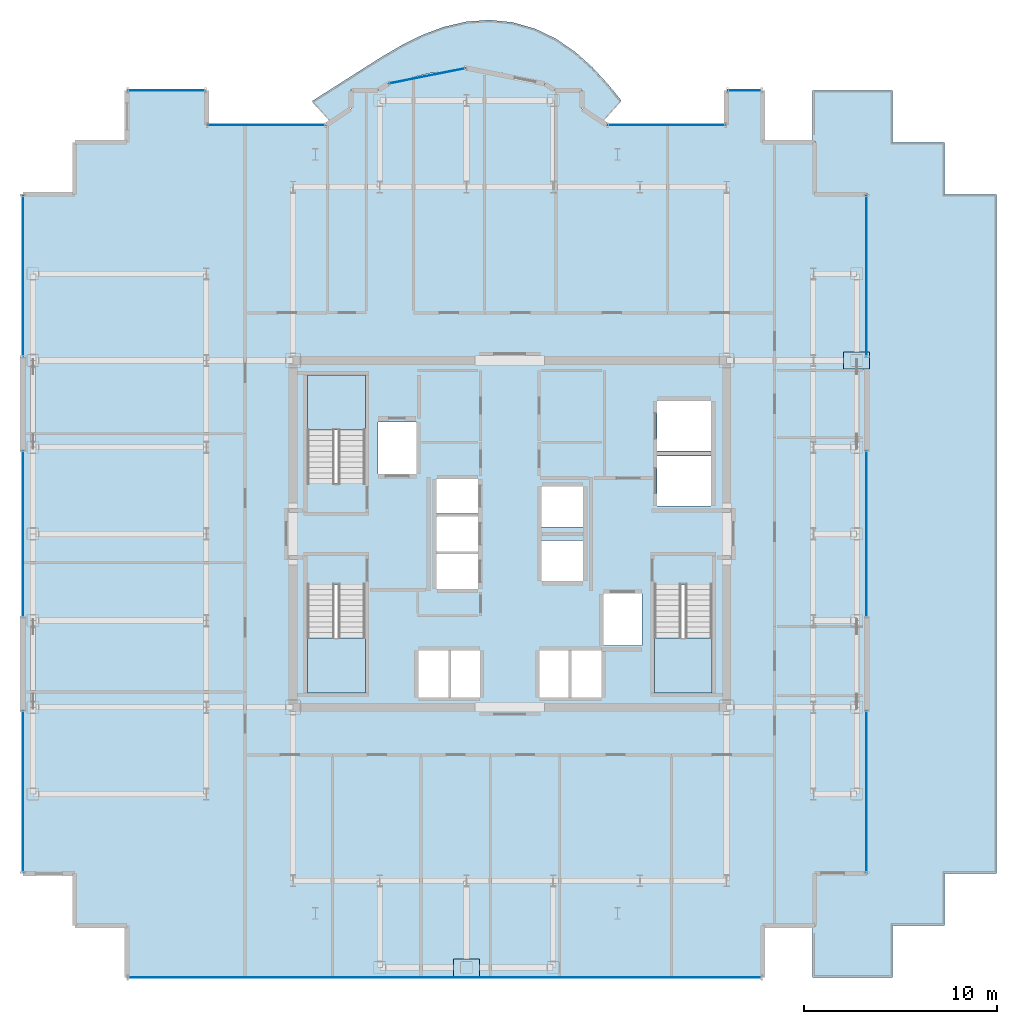
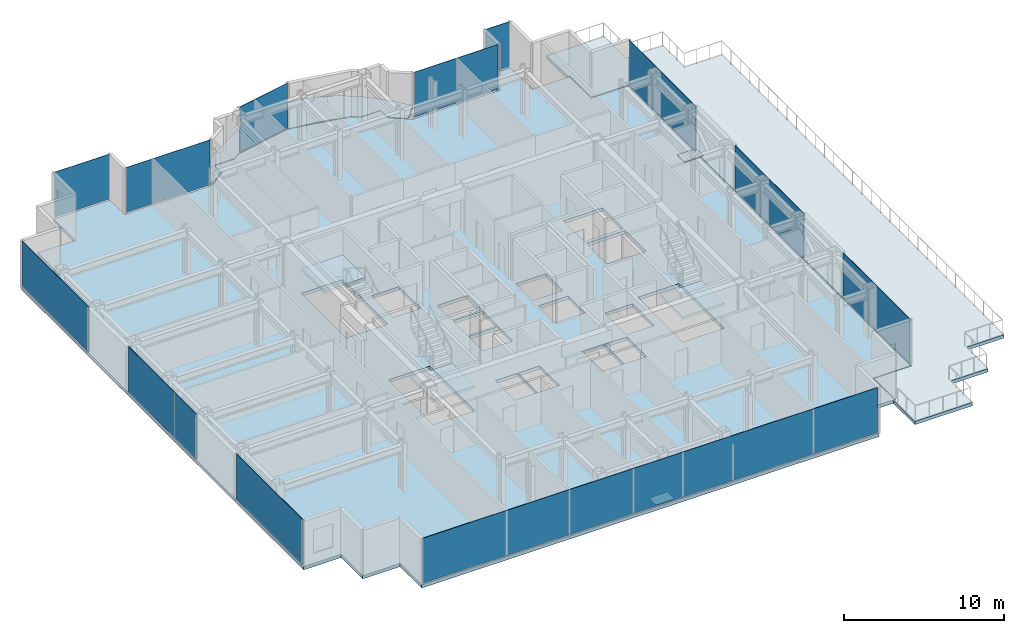
# One storey, part 10 of 17: 14 plates, 6 slabs, 15 elements without a shape of their own.
"""IFC4 building model written with IfcOpenShell, lengths in metres."""

from ifc_helpers import new_model, si_unit, direction, frame, origin, origin_2d, place, context, subcontext, project, spatial, polyline, rectangle, outline, extrude, source, transform, mapped, material, layer, layer_set, type_object, element, aggregate, save


model = new_model("IFC4")

# Units and contexts
model_context = context("Model", 3, precision=1e-05, world=origin(), true_north=direction((0.0, 1.0)))
body_context = subcontext(model_context, "Body", "Model", "MODEL_VIEW")
ifc_project = project(units=[si_unit("LENGTHUNIT", "METRE"), si_unit("AREAUNIT", "SQUARE_METRE"), si_unit("VOLUMEUNIT", "CUBIC_METRE"), si_unit("PLANEANGLEUNIT", "RADIAN"), si_unit("MASSUNIT", "GRAM", prefix="KILO")], contexts=[model_context])

# Site, building, storey
site_placement = place(None, origin())
site = spatial("IfcSite", under=ifc_project, at=site_placement, CompositionType="ELEMENT")
building_placement = place(site_placement, origin())
building = spatial("IfcBuilding", under=site, at=building_placement, Name="Nefas-Gora Pilgrimage Tower", CompositionType="ELEMENT")
storey_placement = place(building_placement, frame((0.0, 0.0, 264.60009765625)))
storey = spatial("IfcBuildingStorey", under=building, at=storey_placement, Name="L66", CompositionType="ELEMENT", Elevation=264.60009765625)

# Slabs
ifc_material_1 = material(Name="Concrete C40/50", Category="concrete")
ifc_layer_1 = layer(ifc_material_1, 0.22509765625)
ifc_layer_set_1 = layer_set([ifc_layer_1], Name="Concrete C40/50")
slab_type_1 = type_object("IfcSlabType", Name="SLB-BAL-P7", PredefinedType="FLOOR", material=ifc_layer_set_1)
slab_1_placement = place(storey_placement, frame((0.0, 0.0, -0.22509765625)))
element("IfcSlab", 1, at=slab_1_placement, inside=storey, type_object=slab_type_1, Name="L66 Sinusoidal Lobe Balcony Slab N (Phase 7)", PredefinedType="FLOOR", context=body_context, shape_type="SweptSolid", body=[
    extrude(outline(polyline([(-9.28759765625, 21.385986328125), (-9.224609375, 21.427978515625), (-8.538330078125, 21.9912109375), (-8.260009765625, 22.179931640625), (-8.260009765625, 23.02001953125), (-8.260009765625, 23.02099609375), (-8.259765625, 23.02197265625), (-8.259521484375, 23.02294921875), (-8.25927734375, 23.023681640625), (-8.2587890625, 23.024658203125), (-8.25830078125, 23.025634765625), (-8.2578125, 23.0263671875), (-8.257080078125, 23.027099609375), (-8.25634765625, 23.027587890625), (-8.255615234375, 23.0283203125), (-8.254638671875, 23.02880859375), (-8.25390625, 23.029296875), (-8.2529296875, 23.029541015625), (-8.251953125, 23.02978515625), (-8.2509765625, 23.030029296875), (-8.25, 23.030029296875), (-6.8271484375, 23.030029296875), (-6.31298828125, 23.37353515625), (-6.31201171875, 23.3740234375), (-6.311279296875, 23.37451171875), (-6.310302734375, 23.375), (-6.309326171875, 23.375), (-5.63037109375, 23.51025390625), (-5.102783203125, 23.685302734375), (-4.165283203125, 23.904052734375), (-3.211669921875, 24.035888671875), (-2.919921875, 24.04931640625), (-2.251953125, 24.18212890625), (-2.2509765625, 24.182373046875), (-2.25, 24.182373046875), (-2.2490234375, 24.182373046875), (-2.248046875, 24.18212890625), (-1.580078125, 24.04931640625), (-1.288330078125, 24.035888671875), (-0.334716796875, 23.904052734375), (0.602783203125, 23.685302734375), (1.13037109375, 23.51025390625), (1.809326171875, 23.375), (1.810302734375, 23.375), (1.811279296875, 23.37451171875), (1.81201171875, 23.3740234375), (1.81298828125, 23.37353515625), (2.3271484375, 23.030029296875), (3.75, 23.030029296875), (3.7509765625, 23.030029296875), (3.751953125, 23.02978515625), (3.7529296875, 23.029541015625), (3.75390625, 23.029296875), (3.754638671875, 23.02880859375), (3.755615234375, 23.0283203125), (3.75634765625, 23.027587890625), (3.757080078125, 23.027099609375), (3.7578125, 23.0263671875), (3.75830078125, 23.025634765625), (3.7587890625, 23.024658203125), (3.75927734375, 23.023681640625), (3.759521484375, 23.02294921875), (3.759765625, 23.02197265625), (3.760009765625, 23.02099609375), (3.760009765625, 23.02001953125), (3.760009765625, 22.179931640625), (4.038330078125, 21.9912109375), (4.724609375, 21.427978515625), (4.78759765625, 21.385986328125), (5.782958984375, 22.491455078125), (5.06689453125, 23.368408203125), (4.27734375, 24.2216796875), (3.392578125, 25.01220703125), (2.4033203125, 25.692138671875), (1.316650390625, 26.21630859375), (0.155517578125, 26.548583984375), (-1.046142578125, 26.6708984375), (-2.25, 26.585205078125), (-3.4208984375, 26.314208984375), (-4.53466796875, 25.896484375), (-5.580322265625, 25.37890625), (-6.563720703125, 24.807373046875), (-7.501220703125, 24.218505859375), (-8.41650390625, 23.6328125), (-9.330810546875, 23.052490234375), (-10.256591796875, 22.462158203125), (-9.28759765625, 21.385986328125)])), origin(), (0.0, 0.0, 1.0), 0.22509765625),
])
ifc_material_2 = material(Name="Concrete C45/55", Category="concrete")
ifc_layer_2 = layer(ifc_material_2, 0.25)
ifc_layer_set_2 = layer_set([ifc_layer_2], Name="Concrete C45/55")
slab_type_2 = type_object("IfcSlabType", Name="SLB-TER-L66-1", PredefinedType="ROOF", material=ifc_layer_set_2)
slab_2_placement = place(storey_placement, frame((0.0, 0.0, -0.25)))
element("IfcSlab", 2, at=slab_2_placement, inside=storey, type_object=slab_type_2, Name="L66 Outdoor Sky Terrace Slab TER-L66-1", PredefinedType="ROOF", context=body_context, shape_type="SweptSolid", body=[
    extrude(outline(polyline([(19.8701171875, 23.02001953125), (15.719970703125, 23.02001953125), (15.719970703125, 20.3701171875), (15.820068359375, 20.3701171875), (15.824951171875, 20.369873046875), (15.829833984375, 20.368896484375), (15.83447265625, 20.367919921875), (15.839111328125, 20.3662109375), (15.843505859375, 20.364013671875), (15.847900390625, 20.361572265625), (15.851806640625, 20.358642578125), (15.85546875, 20.35546875), (15.858642578125, 20.351806640625), (15.861572265625, 20.347900390625), (15.864013671875, 20.343505859375), (15.8662109375, 20.339111328125), (15.867919921875, 20.33447265625), (15.868896484375, 20.329833984375), (15.869873046875, 20.324951171875), (15.8701171875, 20.320068359375), (15.8701171875, 17.669921875), (18.52001953125, 17.669921875), (18.52490234375, 17.669921875), (18.52978515625, 17.6689453125), (18.534423828125, 17.667724609375), (18.5390625, 17.666259765625), (18.543701171875, 17.6640625), (18.5478515625, 17.66162109375), (18.5517578125, 17.65869140625), (18.555419921875, 17.655517578125), (18.55859375, 17.651611328125), (18.5615234375, 17.647705078125), (18.564208984375, 17.6435546875), (18.566162109375, 17.63916015625), (18.56787109375, 17.634521484375), (18.569091796875, 17.6298828125), (18.56982421875, 17.625), (18.570068359375, 17.6201171875), (18.570068359375, -17.6201171875), (18.56982421875, -17.625), (18.569091796875, -17.6298828125), (18.56787109375, -17.634521484375), (18.566162109375, -17.63916015625), (18.564208984375, -17.6435546875), (18.5615234375, -17.647705078125), (18.55859375, -17.651611328125), (18.555419921875, -17.655517578125), (18.5517578125, -17.65869140625), (18.5478515625, -17.66162109375), (18.543701171875, -17.6640625), (18.5390625, -17.666259765625), (18.534423828125, -17.667724609375), (18.52978515625, -17.6689453125), (18.52490234375, -17.669921875), (18.52001953125, -17.669921875), (15.8701171875, -17.669921875), (15.8701171875, -20.320068359375), (15.869873046875, -20.324951171875), (15.868896484375, -20.329833984375), (15.867919921875, -20.33447265625), (15.8662109375, -20.339111328125), (15.864013671875, -20.343505859375), (15.861572265625, -20.347900390625), (15.858642578125, -20.351806640625), (15.85546875, -20.35546875), (15.851806640625, -20.358642578125), (15.847900390625, -20.361572265625), (15.843505859375, -20.364013671875), (15.839111328125, -20.3662109375), (15.83447265625, -20.367919921875), (15.829833984375, -20.368896484375), (15.824951171875, -20.369873046875), (15.820068359375, -20.3701171875), (15.719970703125, -20.3701171875), (15.719970703125, -23.02001953125), (19.8701171875, -23.02001953125), (19.8701171875, -20.320068359375), (22.570068359375, -20.320068359375), (22.570068359375, -17.6201171875), (25.27001953125, -17.6201171875), (25.27001953125, 17.6201171875), (22.570068359375, 17.6201171875), (22.570068359375, 20.320068359375), (19.8701171875, 20.320068359375), (19.8701171875, 23.02001953125)])), origin(), (0.0, 0.0, 1.0), 0.25),
])
ifc_layer_3 = layer(ifc_material_1, 0.25)
ifc_layer_set_3 = layer_set([ifc_layer_3], Name="Concrete C40/50")
slab_type_3 = type_object("IfcSlabType", Name="SLB-TWR-260", PredefinedType="FLOOR", material=ifc_layer_set_3)
slab_3_placement = place(storey_placement, frame((0.0, 0.0, -0.25)))
element("IfcSlab", 3, at=slab_3_placement, inside=storey, type_object=slab_type_3, Name="L66 Structural Floor Slab", PredefinedType="FLOOR", context=body_context, shape_type="SweptSolid", body=[
    extrude(outline(polyline([(15.820068359375, -17.6201171875), (18.52001953125, -17.6201171875), (18.52001953125, 17.6201171875), (15.820068359375, 17.6201171875), (15.820068359375, 20.320068359375), (13.1201171875, 20.320068359375), (13.1201171875, 23.02001953125), (11.25, 23.02001953125), (11.25, 21.219970703125), (5.01806640625, 21.219970703125), (3.75, 22.0673828125), (3.75, 23.02001953125), (2.32421875, 23.02001953125), (1.807373046875, 23.365234375), (-2.25, 24.17236328125), (-6.307373046875, 23.365234375), (-6.82421875, 23.02001953125), (-8.25, 23.02001953125), (-8.25, 22.0673828125), (-9.51806640625, 21.219970703125), (-15.75, 21.219970703125), (-15.75, 23.02001953125), (-19.8701171875, 23.02001953125), (-19.8701171875, 20.320068359375), (-22.570068359375, 20.320068359375), (-22.570068359375, 17.6201171875), (-25.27001953125, 17.6201171875), (-25.27001953125, -17.6201171875), (-22.570068359375, -17.6201171875), (-22.570068359375, -20.320068359375), (-19.8701171875, -20.320068359375), (-19.8701171875, -23.02001953125), (13.1201171875, -23.02001953125), (13.1201171875, -20.320068359375), (15.820068359375, -20.320068359375), (15.820068359375, -17.6201171875)]), holes=[polyline([(-10.5, 2.639892578125), (-10.5, 8.25), (-7.5, 8.25), (-7.5, 2.639892578125), (-10.5, 2.639892578125)]), polyline([(10.5, -2.639892578125), (10.5, -8.25), (7.5, -8.25), (7.5, -2.639892578125), (10.5, -2.639892578125)]), polyline([(-7.5, -2.639892578125), (-7.5, -8.25), (-10.5, -8.25), (-10.5, -2.639892578125), (-7.5, -2.639892578125)]), polyline([(-6.85009765625, 5.800048828125), (-4.85009765625, 5.800048828125), (-4.85009765625, 3.10009765625), (-6.85009765625, 3.10009765625), (-6.85009765625, 5.800048828125)]), polyline([(4.85009765625, -3.10009765625), (6.85009765625, -3.10009765625), (6.85009765625, -5.800048828125), (4.85009765625, -5.800048828125), (4.85009765625, -3.10009765625)]), polyline([(7.64990234375, 4.050048828125), (10.449951171875, 4.050048828125), (10.449951171875, 1.449951171875), (7.64990234375, 1.449951171875), (7.64990234375, 4.050048828125)]), polyline([(7.64990234375, 6.89990234375), (10.449951171875, 6.89990234375), (10.449951171875, 4.300048828125), (7.64990234375, 4.300048828125), (7.64990234375, 6.89990234375)]), polyline([(-4.75, -6.050048828125), (-3.14990234375, -6.050048828125), (-3.14990234375, -8.5), (-4.75, -8.5), (-4.75, -6.050048828125)]), polyline([(-3.10009765625, -6.050048828125), (-1.550048828125, -6.050048828125), (-1.550048828125, -8.5), (-3.10009765625, -8.5), (-3.10009765625, -6.050048828125)]), polyline([(1.550048828125, -6.050048828125), (3.10009765625, -6.050048828125), (3.10009765625, -8.5), (1.550048828125, -8.5), (1.550048828125, -6.050048828125)]), polyline([(3.14990234375, -6.050048828125), (4.75, -6.050048828125), (4.75, -8.5), (3.14990234375, -8.5), (3.14990234375, -6.050048828125)]), polyline([(-3.800048828125, -1.050048828125), (-1.64990234375, -1.050048828125), (-1.64990234375, -2.85009765625), (-3.800048828125, -2.85009765625), (-3.800048828125, -1.050048828125)]), polyline([(-3.800048828125, 0.89990234375), (-1.64990234375, 0.89990234375), (-1.64990234375, -0.89990234375), (-3.800048828125, -0.89990234375), (-3.800048828125, 0.89990234375)]), polyline([(-3.800048828125, 2.85009765625), (-1.64990234375, 2.85009765625), (-1.64990234375, 1.050048828125), (-3.800048828125, 1.050048828125), (-3.800048828125, 2.85009765625)]), polyline([(1.64990234375, -0.35009765625), (3.800048828125, -0.35009765625), (3.800048828125, -2.449951171875), (1.64990234375, -2.449951171875), (1.64990234375, -0.35009765625)]), polyline([(1.64990234375, 2.449951171875), (3.800048828125, 2.449951171875), (3.800048828125, 0.35009765625), (1.64990234375, 0.35009765625), (1.64990234375, 2.449951171875)])]), origin(), (0.0, 0.0, 1.0), 0.25),
])

# Stair, slab
stair_type = type_object("IfcStairType", Name="STR-1400-R1727", PredefinedType="HALF_TURN_STAIR", material=ifc_material_2)
stair_1_placement = place(storey_placement, origin())
stair_1 = element("IfcStair", 4, at=stair_1_placement, inside=storey, type_object=stair_type, Name="L66 Pressurised Tower Exit Stair ST-01", PredefinedType="HALF_TURN_STAIR")
ifc_layer_4 = layer(ifc_material_1, 0.199951171875)
ifc_layer_set_4 = layer_set([ifc_layer_4], Name="Concrete C40/50")
slab_type_4 = type_object("IfcSlabType", Name="STR-LAND-200", PredefinedType="LANDING", material=ifc_layer_set_4)
slab_4_placement = place(storey_placement, frame((0.0, 0.0, 1.699951171875)))
slab_4 = element("IfcSlab", 5, at=slab_4_placement, type_object=slab_type_4, Name="ST-01 landing 1", PredefinedType="LANDING", context=body_context, shape_type="SweptSolid", body=[
    extrude(outline(polyline([(-7.5, 5.39990234375), (-7.5, 8.25), (-10.5, 8.25), (-10.5, 5.39990234375), (-7.5, 5.39990234375)])), origin(), (0.0, 0.0, 1.0), 0.199951171875),
])
aggregate(stair_1, [slab_4])

stair_2_placement = place(storey_placement, origin())
stair_2 = element("IfcStair", 6, at=stair_2_placement, inside=storey, type_object=stair_type, Name="L66 Pressurised Tower Exit Stair ST-02", PredefinedType="HALF_TURN_STAIR")
slab_5_placement = place(storey_placement, frame((0.0, 0.0, 1.699951171875)))
slab_5 = element("IfcSlab", 7, at=slab_5_placement, type_object=slab_type_4, Name="ST-02 landing 1", PredefinedType="LANDING", context=body_context, shape_type="SweptSolid", body=[
    extrude(outline(polyline([(7.5, -5.39990234375), (7.5, -8.25), (10.5, -8.25), (10.5, -5.39990234375), (7.5, -5.39990234375)])), origin(), (0.0, 0.0, 1.0), 0.199951171875),
])
aggregate(stair_2, [slab_5])

stair_3_placement = place(storey_placement, origin())
stair_3 = element("IfcStair", 8, at=stair_3_placement, inside=storey, type_object=stair_type, Name="L66 Pressurised Tower Exit Stair ST-03", PredefinedType="HALF_TURN_STAIR")
slab_6_placement = place(storey_placement, frame((0.0, 0.0, 1.699951171875)))
slab_6 = element("IfcSlab", 9, at=slab_6_placement, type_object=slab_type_4, Name="ST-03 landing 1", PredefinedType="LANDING", context=body_context, shape_type="SweptSolid", body=[
    extrude(outline(polyline([(-10.5, -5.39990234375), (-10.5, -8.25), (-7.5, -8.25), (-7.5, -5.39990234375), (-10.5, -5.39990234375)])), origin(), (0.0, 0.0, 1.0), 0.199951171875),
])
aggregate(stair_3, [slab_6])

# Plates
ifc_material_3 = material(Name="Steel S355", Category="steel")
ifc_layer_5 = layer(ifc_material_3, 0.052001953125)
ifc_layer_set_5 = layer_set([ifc_layer_5], Name="Steel S355")
plate_type_1 = type_object("IfcPlateType", Name="PLT-NODE-N09", PredefinedType="USERDEFINED", material=ifc_layer_set_5)
shared_shape_1 = source(origin(), body_context, "Body", "SweptSolid", [
    extrude(rectangle(XDim=1.35009765625, YDim=0.89990234375, at=origin_2d()), origin(), (0.0, 0.0, 1.0), 0.048095703125),
])
for number, where, z_axis, x_axis, name in (
    (10, (18.0, 9.0, 0.0556640625), (0.0, 0.0, 1.0), (1.0, 0.0, 0.0), "Structural Node Gusset Plate N09 (L66)"),
    (11, (-2.25, -22.5, 0.0556640625), (0.0, 0.0, 1.0), (1.0, 0.0, 0.0), "Structural Node Gusset Plate N09 (L66)"),
):
    element("IfcPlate", number, at=place(storey_placement, frame(where, z_axis=z_axis, x_axis=x_axis)), inside=storey, type_object=plate_type_1, Name=name, ObjectType="GUSSET_PLATE", PredefinedType="USERDEFINED", context=body_context, shape_type="MappedRepresentation", body=[
        mapped(shared_shape_1, transform((0.0, 0.0, 0.0), x_axis=(1.0, 0.0, 0.0), y_axis=(0.0, 1.0, 0.0), z_axis=(0.0, 0.0, 1.0), scale=1.0)),
    ])

# Curtain wall, plate
ifc_material_4 = material(Name="Dark ceramic-fritted solar-control aluminium-glass curtain wall", Category="aluminium")
ifc_layer_6 = layer(ifc_material_4, 0.219970703125)
ifc_layer_set_6 = layer_set([ifc_layer_6], Name="Dark ceramic-fritted solar-control aluminium-glass curtain wall")
curtain_wall_type_1 = type_object("IfcCurtainWallType", Name="CW-SYS-5", PredefinedType="NOTDEFINED", material=ifc_layer_set_6)
curtain_wall_1_placement = place(storey_placement, origin())
curtain_wall_1 = element("IfcCurtainWall", 12, at=curtain_wall_1_placement, inside=storey, type_object=curtain_wall_type_1, Name="L66 Unitised Curtain Wall CW5", PredefinedType="NOTDEFINED")
ifc_material_5 = material(Name="Dark ceramic-printed low-e insulated glass", Category="glass")
ifc_layer_7 = layer(ifc_material_5, 0.028076171875)
ifc_layer_set_7 = layer_set([ifc_layer_7], Name="Dark ceramic-printed low-e insulated glass")
plate_type_2 = type_object("IfcPlateType", Name="CWP-PNL-5", PredefinedType="CURTAIN_PANEL", material=ifc_layer_set_7)
shared_shape_2 = source(origin(), body_context, "Body", "SweptSolid", [
    extrude(rectangle(XDim=6.052001953125, YDim=0.028076171875, at=origin_2d()), origin(), (0.0, 0.0, 1.0), 3.43994140625),
])
plate_1_placement = place(storey_placement, frame((8.134033203125, 21.219970703125, 0.099853515625), z_axis=(0.0, 0.0, 1.0), x_axis=(-1.0, 0.0, 0.0)))
plate_1 = element("IfcPlate", 13, at=plate_1_placement, type_object=plate_type_2, Name="CW5 Ceramic-Fritted Glazing Panel 1", PredefinedType="CURTAIN_PANEL", context=body_context, shape_type="MappedRepresentation", body=[
    mapped(shared_shape_2, transform((0.0, 0.0, 0.0), x_axis=(1.0, 0.0, 0.0), y_axis=(0.0, 1.0, 0.0), z_axis=(0.0, 0.0, 1.0), scale=1.0)),
])
aggregate(curtain_wall_1, [plate_1])

curtain_wall_2_placement = place(storey_placement, origin())
curtain_wall_2 = element("IfcCurtainWall", 14, at=curtain_wall_2_placement, inside=storey, type_object=curtain_wall_type_1, Name="L66 Unitised Curtain Wall CW5", PredefinedType="NOTDEFINED")
plate_2_placement = place(storey_placement, frame((-12.634033203125, 21.219970703125, 0.099853515625), z_axis=(0.0, 0.0, 1.0), x_axis=(-1.0, 0.0, 0.0)))
plate_2 = element("IfcPlate", 15, at=plate_2_placement, type_object=plate_type_2, Name="CW5 Ceramic-Fritted Glazing Panel 1", PredefinedType="CURTAIN_PANEL", context=body_context, shape_type="MappedRepresentation", body=[
    mapped(shared_shape_2, transform((0.0, 0.0, 0.0), x_axis=(1.0, 0.0, 0.0), y_axis=(0.0, 1.0, 0.0), z_axis=(0.0, 0.0, 1.0), scale=1.0)),
])
aggregate(curtain_wall_2, [plate_2])

curtain_wall_3_placement = place(storey_placement, origin())
curtain_wall_3 = element("IfcCurtainWall", 16, at=curtain_wall_3_placement, inside=storey, type_object=curtain_wall_type_1, Name="L66 Unitised Curtain Wall CW5", PredefinedType="NOTDEFINED")
shared_shape_3 = source(origin(), body_context, "Body", "SweptSolid", [
    extrude(rectangle(XDim=3.956787109375, YDim=0.028076171875, at=origin_2d()), origin(), (0.0, 0.0, 1.0), 3.43994140625),
])
plate_3_placement = place(storey_placement, frame((-4.278564453125, 23.768798828125, 0.099853515625), z_axis=(0.0, 0.0, 1.0), x_axis=(-0.980782896852, -0.195102304554, 0.0)))
plate_3 = element("IfcPlate", 17, at=plate_3_placement, type_object=plate_type_2, Name="CW5 Ceramic-Fritted Glazing Panel 1", PredefinedType="CURTAIN_PANEL", context=body_context, shape_type="MappedRepresentation", body=[
    mapped(shared_shape_3, transform((0.0, 0.0, 0.0), x_axis=(1.0, 0.0, 0.0), y_axis=(0.0, 1.0, 0.0), z_axis=(0.0, 0.0, 1.0), scale=1.0)),
])
aggregate(curtain_wall_3, [plate_3])

ifc_layer_8 = layer(ifc_material_4, 0.219970703125)
ifc_layer_set_8 = layer_set([ifc_layer_8], Name="Dark ceramic-fritted solar-control aluminium-glass curtain wall")
curtain_wall_type_2 = type_object("IfcCurtainWallType", Name="CW-SYS-4", PredefinedType="NOTDEFINED", material=ifc_layer_set_8)
curtain_wall_4_placement = place(storey_placement, origin())
curtain_wall_4 = element("IfcCurtainWall", 18, at=curtain_wall_4_placement, inside=storey, type_object=curtain_wall_type_2, Name="L66 Unitised Curtain Wall CW4", PredefinedType="NOTDEFINED")
ifc_layer_9 = layer(ifc_material_5, 0.030029296875)
ifc_layer_set_9 = layer_set([ifc_layer_9], Name="Dark ceramic-printed low-e insulated glass")
plate_type_3 = type_object("IfcPlateType", Name="CWP-PNL-4", PredefinedType="CURTAIN_PANEL", material=ifc_layer_set_9)
shared_shape_4 = source(origin(), body_context, "Body", "SweptSolid", [
    extrude(rectangle(XDim=8.2900390625, YDim=0.030029296875, at=origin_2d()), origin(), (0.0, 0.0, 1.0), 3.43994140625),
])
plate_4_placement = place(storey_placement, frame((18.52001953125, -13.385009765625, 0.099853515625), z_axis=(0.0, 0.0, 1.0), x_axis=(0.0, 1.0, 0.0)))
plate_4 = element("IfcPlate", 19, at=plate_4_placement, type_object=plate_type_3, Name="CW4 Ceramic-Fritted Glazing Panel 1", PredefinedType="CURTAIN_PANEL", context=body_context, shape_type="MappedRepresentation", body=[
    mapped(shared_shape_4, transform((0.0, 0.0, 0.0), x_axis=(1.0, 0.0, 0.0), y_axis=(0.0, 1.0, 0.0), z_axis=(0.0, 0.0, 1.0), scale=1.0)),
])
aggregate(curtain_wall_4, [plate_4])

curtain_wall_5_placement = place(storey_placement, origin())
curtain_wall_5 = element("IfcCurtainWall", 20, at=curtain_wall_5_placement, inside=storey, type_object=curtain_wall_type_2, Name="L66 Unitised Curtain Wall CW4", PredefinedType="NOTDEFINED")
plate_5_placement = place(storey_placement, frame((18.52001953125, 13.385009765625, 0.099853515625), z_axis=(0.0, 0.0, 1.0), x_axis=(0.0, 1.0, 0.0)))
plate_5 = element("IfcPlate", 21, at=plate_5_placement, type_object=plate_type_3, Name="CW4 Ceramic-Fritted Glazing Panel 1", PredefinedType="CURTAIN_PANEL", context=body_context, shape_type="MappedRepresentation", body=[
    mapped(shared_shape_4, transform((0.0, 0.0, 0.0), x_axis=(1.0, 0.0, 0.0), y_axis=(0.0, 1.0, 0.0), z_axis=(0.0, 0.0, 1.0), scale=1.0)),
])
aggregate(curtain_wall_5, [plate_5])

curtain_wall_6_placement = place(storey_placement, origin())
curtain_wall_6 = element("IfcCurtainWall", 22, at=curtain_wall_6_placement, inside=storey, type_object=curtain_wall_type_2, Name="L66 Unitised Curtain Wall CW4", PredefinedType="NOTDEFINED")
plate_6_placement = place(storey_placement, frame((-25.27001953125, 13.385009765625, 0.099853515625), z_axis=(0.0, 0.0, 1.0), x_axis=(0.0, -1.0, 0.0)))
plate_6 = element("IfcPlate", 23, at=plate_6_placement, type_object=plate_type_3, Name="CW4 Ceramic-Fritted Glazing Panel 1", PredefinedType="CURTAIN_PANEL", context=body_context, shape_type="MappedRepresentation", body=[
    mapped(shared_shape_4, transform((0.0, 0.0, 0.0), x_axis=(1.0, 0.0, 0.0), y_axis=(0.0, 1.0, 0.0), z_axis=(0.0, 0.0, 1.0), scale=1.0)),
])
aggregate(curtain_wall_6, [plate_6])

curtain_wall_7_placement = place(storey_placement, origin())
curtain_wall_7 = element("IfcCurtainWall", 24, at=curtain_wall_7_placement, inside=storey, type_object=curtain_wall_type_2, Name="L66 Unitised Curtain Wall CW4", PredefinedType="NOTDEFINED")
plate_7_placement = place(storey_placement, frame((-25.27001953125, -13.385009765625, 0.099853515625), z_axis=(0.0, 0.0, 1.0), x_axis=(0.0, -1.0, 0.0)))
plate_7 = element("IfcPlate", 25, at=plate_7_placement, type_object=plate_type_3, Name="CW4 Ceramic-Fritted Glazing Panel 1", PredefinedType="CURTAIN_PANEL", context=body_context, shape_type="MappedRepresentation", body=[
    mapped(shared_shape_4, transform((0.0, 0.0, 0.0), x_axis=(1.0, 0.0, 0.0), y_axis=(0.0, 1.0, 0.0), z_axis=(0.0, 0.0, 1.0), scale=1.0)),
])
aggregate(curtain_wall_7, [plate_7])

curtain_wall_8_placement = place(storey_placement, origin())
curtain_wall_8 = element("IfcCurtainWall", 26, at=curtain_wall_8_placement, inside=storey, type_object=curtain_wall_type_2, Name="L66 Unitised Curtain Wall CW4", PredefinedType="NOTDEFINED")
shared_shape_5 = source(origin(), body_context, "Body", "SweptSolid", [
    extrude(rectangle(XDim=8.52001953125, YDim=0.030029296875, at=origin_2d()), origin(), (0.0, 0.0, 1.0), 3.43994140625),
])
plate_8_placement = place(storey_placement, frame((18.52001953125, 0.0, 0.099853515625), z_axis=(0.0, 0.0, 1.0), x_axis=(0.0, 1.0, 0.0)))
plate_8 = element("IfcPlate", 27, at=plate_8_placement, type_object=plate_type_3, Name="CW4 Ceramic-Fritted Glazing Panel 1", PredefinedType="CURTAIN_PANEL", context=body_context, shape_type="MappedRepresentation", body=[
    mapped(shared_shape_5, transform((0.0, 0.0, 0.0), x_axis=(1.0, 0.0, 0.0), y_axis=(0.0, 1.0, 0.0), z_axis=(0.0, 0.0, 1.0), scale=1.0)),
])
aggregate(curtain_wall_8, [plate_8])

curtain_wall_9_placement = place(storey_placement, origin())
curtain_wall_9 = element("IfcCurtainWall", 28, at=curtain_wall_9_placement, inside=storey, type_object=curtain_wall_type_2, Name="L66 Unitised Curtain Wall CW4", PredefinedType="NOTDEFINED")
plate_9_placement = place(storey_placement, frame((-25.27001953125, 0.0, 0.099853515625), z_axis=(0.0, 0.0, 1.0), x_axis=(0.0, -1.0, 0.0)))
plate_9 = element("IfcPlate", 29, at=plate_9_placement, type_object=plate_type_3, Name="CW4 Ceramic-Fritted Glazing Panel 1", PredefinedType="CURTAIN_PANEL", context=body_context, shape_type="MappedRepresentation", body=[
    mapped(shared_shape_5, transform((0.0, 0.0, 0.0), x_axis=(1.0, 0.0, 0.0), y_axis=(0.0, 1.0, 0.0), z_axis=(0.0, 0.0, 1.0), scale=1.0)),
])
aggregate(curtain_wall_9, [plate_9])

curtain_wall_10_placement = place(storey_placement, origin())
curtain_wall_10 = element("IfcCurtainWall", 30, at=curtain_wall_10_placement, inside=storey, type_object=curtain_wall_type_2, Name="L66 Unitised Curtain Wall CW4", PredefinedType="NOTDEFINED")
shared_shape_6 = source(origin(), body_context, "Body", "SweptSolid", [
    extrude(rectangle(XDim=1.68994140625, YDim=0.030029296875, at=origin_2d()), origin(), (0.0, 0.0, 1.0), 3.43994140625),
])
plate_10_placement = place(storey_placement, frame((12.18505859375, 23.02001953125, 0.099853515625), z_axis=(0.0, 0.0, 1.0), x_axis=(-1.0, 0.0, 0.0)))
plate_10 = element("IfcPlate", 31, at=plate_10_placement, type_object=plate_type_3, Name="CW4 Ceramic-Fritted Glazing Panel 1", PredefinedType="CURTAIN_PANEL", context=body_context, shape_type="MappedRepresentation", body=[
    mapped(shared_shape_6, transform((0.0, 0.0, 0.0), x_axis=(1.0, 0.0, 0.0), y_axis=(0.0, 1.0, 0.0), z_axis=(0.0, 0.0, 1.0), scale=1.0)),
])
aggregate(curtain_wall_10, [plate_10])

curtain_wall_11_placement = place(storey_placement, origin())
curtain_wall_11 = element("IfcCurtainWall", 32, at=curtain_wall_11_placement, inside=storey, type_object=curtain_wall_type_2, Name="L66 Unitised Curtain Wall CW4", PredefinedType="NOTDEFINED")
shared_shape_7 = source(origin(), body_context, "Body", "SweptSolid", [
    extrude(rectangle(XDim=3.93994140625, YDim=0.030029296875, at=origin_2d()), origin(), (0.0, 0.0, 1.0), 3.43994140625),
])
plate_11_placement = place(storey_placement, frame((-17.81005859375, 23.02001953125, 0.099853515625), z_axis=(0.0, 0.0, 1.0), x_axis=(-1.0, 0.0, 0.0)))
plate_11 = element("IfcPlate", 33, at=plate_11_placement, type_object=plate_type_3, Name="CW4 Ceramic-Fritted Glazing Panel 1", PredefinedType="CURTAIN_PANEL", context=body_context, shape_type="MappedRepresentation", body=[
    mapped(shared_shape_7, transform((0.0, 0.0, 0.0), x_axis=(1.0, 0.0, 0.0), y_axis=(0.0, 1.0, 0.0), z_axis=(0.0, 0.0, 1.0), scale=1.0)),
])
aggregate(curtain_wall_11, [plate_11])

curtain_wall_12_placement = place(storey_placement, origin())
curtain_wall_12 = element("IfcCurtainWall", 34, at=curtain_wall_12_placement, inside=storey, type_object=curtain_wall_type_2, Name="L66 Unitised Curtain Wall CW4", PredefinedType="NOTDEFINED")
shared_shape_8 = source(origin(), body_context, "Body", "SweptSolid", [
    extrude(rectangle(XDim=32.81005859375, YDim=0.030029296875, at=origin_2d()), origin(), (0.0, 0.0, 1.0), 3.43994140625),
])
plate_12_placement = place(storey_placement, frame((-3.375, -23.02001953125, 0.099853515625), z_axis=(0.0, 0.0, 1.0), x_axis=(1.0, 0.0, 0.0)))
plate_12 = element("IfcPlate", 35, at=plate_12_placement, type_object=plate_type_3, Name="CW4 Ceramic-Fritted Glazing Panel 1", PredefinedType="CURTAIN_PANEL", context=body_context, shape_type="MappedRepresentation", body=[
    mapped(shared_shape_8, transform((0.0, 0.0, 0.0), x_axis=(1.0, 0.0, 0.0), y_axis=(0.0, 1.0, 0.0), z_axis=(0.0, 0.0, 1.0), scale=1.0)),
])
aggregate(curtain_wall_12, [plate_12])

save(model, "model.ifc")
